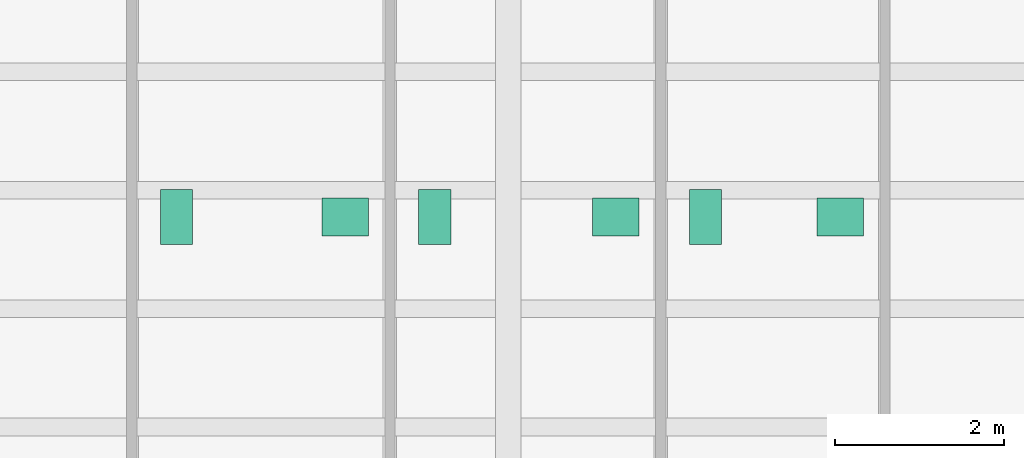
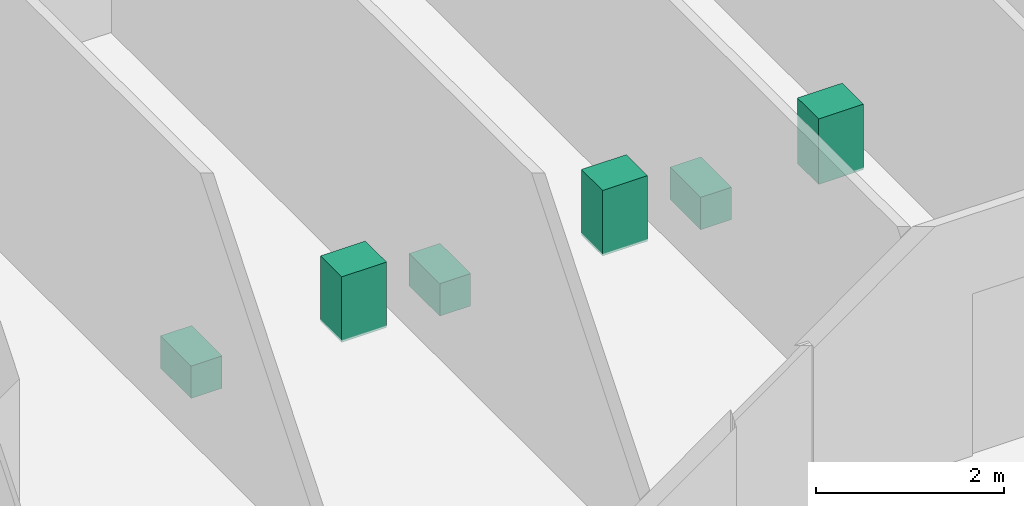
# One storey, part 11 of 11: 6 sanitary terminals.
"""IFC4 building model written with IfcOpenShell, lengths in metres."""

from ifc_helpers import new_model, si_unit, direction, frame, origin, origin_2d, place, context, subcontext, project, spatial, rectangle, extrude, material, type_object, element, save


model = new_model("IFC4")

# Units and contexts
model_context = context("Model", 3, precision=1e-05, world=origin(), true_north=direction((0.0, 1.0)))
body_context = subcontext(model_context, "Body", "Model", "MODEL_VIEW")
ifc_project = project(units=[si_unit("LENGTHUNIT", "METRE"), si_unit("AREAUNIT", "SQUARE_METRE"), si_unit("VOLUMEUNIT", "CUBIC_METRE"), si_unit("PLANEANGLEUNIT", "RADIAN"), si_unit("MASSUNIT", "GRAM", prefix="KILO")], contexts=[model_context])

# Site, building, storey
site_placement = place(None, origin())
site = spatial("IfcSite", under=ifc_project, at=site_placement, CompositionType="ELEMENT")
building_placement = place(site_placement, origin())
building = spatial("IfcBuilding", under=site, at=building_placement, Name="Kranthara Brick Stack", CompositionType="ELEMENT")
storey_placement = place(building_placement, frame((0.0, 0.0, 24.300048828125)))
storey = spatial("IfcBuildingStorey", under=building, at=storey_placement, Name="L05", CompositionType="ELEMENT", Elevation=24.300048828125)

# Sanitary terminals
ifc_material_1 = material(Name="Vitreous china sanitary porcelain", Category="other")
sanitary_terminal_type_1 = type_object("IfcSanitaryTerminalType", Name="SAN-BASIN", PredefinedType="WASHHANDBASIN", material=ifc_material_1)
for number, where, z_axis, x_axis, name in (
    (1, (26.070068359375, 29.985107421875, 0.0), (0.0, 0.0, 1.0), (1.0, 0.0, 0.0), "L05 Washbasin 13"),
    (2, (29.27001953125, 29.985107421875, 0.0), (0.0, 0.0, 1.0), (1.0, 0.0, 0.0), "L05 Washbasin 14"),
    (3, (31.919921875, 29.985107421875, 0.0), (0.0, 0.0, 1.0), (1.0, 0.0, 0.0), "L05 Washbasin 15"),
):
    element("IfcSanitaryTerminal", number, at=place(storey_placement, frame(where, z_axis=z_axis, x_axis=x_axis)), inside=storey, type_object=sanitary_terminal_type_1, Name=name, PredefinedType="WASHHANDBASIN", context=body_context, shape_type="SweptSolid", body=[
        extrude(rectangle(XDim=0.550048828125, YDim=0.449951171875, at=origin_2d()), origin(), (0.0, 0.0, 1.0), 0.85009765625),
    ])
ifc_material_2 = material(Name="Vitreous china sanitary porcelain", Category="other")
sanitary_terminal_type_2 = type_object("IfcSanitaryTerminalType", Name="SAN-WC-PAN", PredefinedType="TOILETPAN", material=ifc_material_2)
for number, where, z_axis, x_axis, name in (
    (4, (24.080078125, 29.985107421875, 0.0), (0.0, 0.0, 1.0), (1.0, 0.0, 0.0), "L05 WC Pan 13"),
    (5, (27.1298828125, 29.985107421875, 0.0), (0.0, 0.0, 1.0), (1.0, 0.0, 0.0), "L05 WC Pan 14"),
    (6, (30.330078125, 29.985107421875, 0.0), (0.0, 0.0, 1.0), (1.0, 0.0, 0.0), "L05 WC Pan 15"),
):
    element("IfcSanitaryTerminal", number, at=place(storey_placement, frame(where, z_axis=z_axis, x_axis=x_axis)), inside=storey, type_object=sanitary_terminal_type_2, Name=name, PredefinedType="TOILETPAN", context=body_context, shape_type="SweptSolid", body=[
        extrude(rectangle(XDim=0.3798828125, YDim=0.64990234375, at=origin_2d()), origin(), (0.0, 0.0, 1.0), 0.419921875),
    ])

save(model, "model.ifc")
